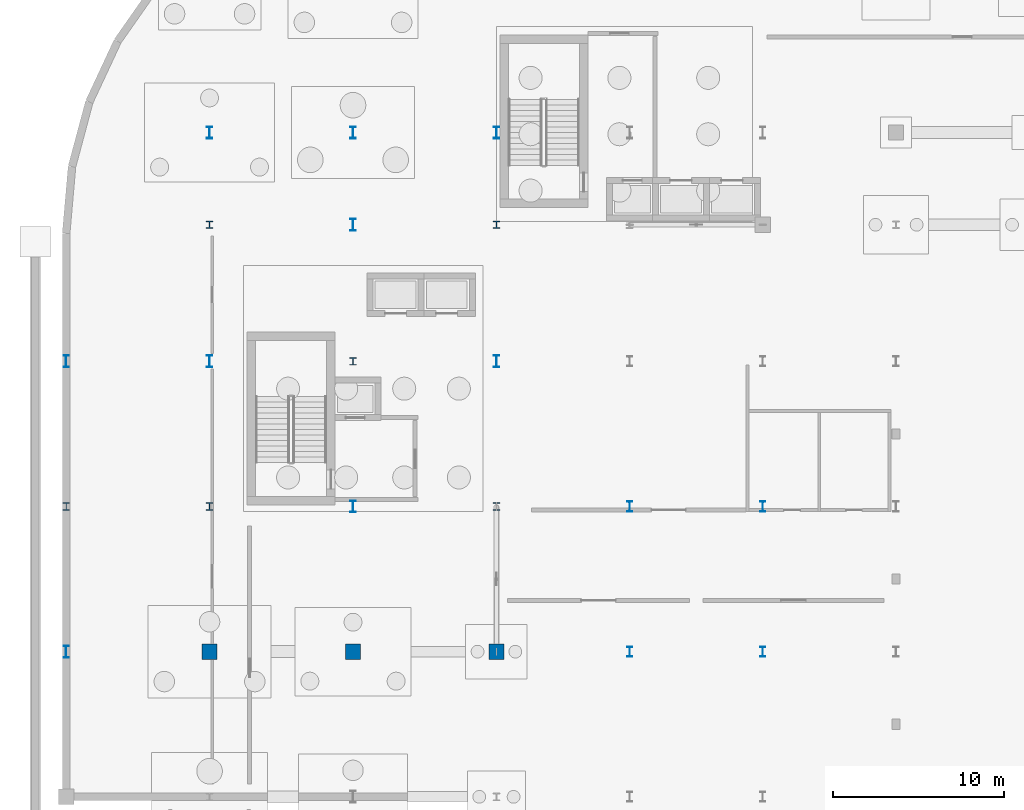
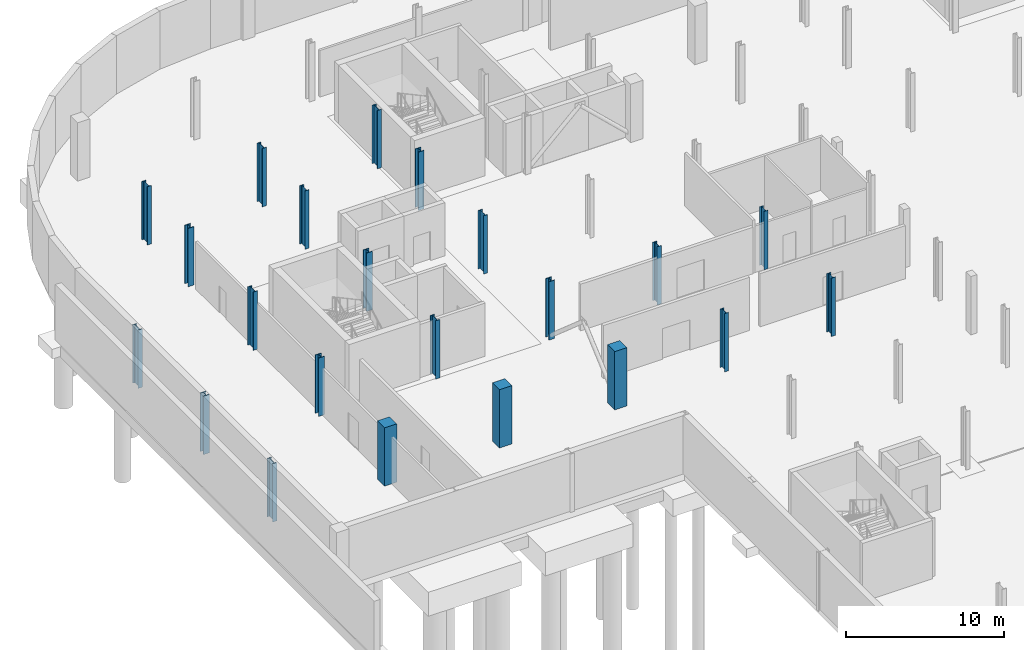
# One storey, part 11 of 45: 22 columns.
"""IFC4 building model written with IfcOpenShell, lengths in metres."""

import ifcopenshell
import ifcopenshell.guid

model = None  # the IFC model being written
_history = None  # IfcOwnerHistory: only IFC2X3 demands one
_inside = {}  # id of a spatial element -> (the spatial element, [elements in it])
_under = {}  # id of a project, library or spatial element -> (it, [spatial elements below it])
_declared = {}  # id of a project -> (the project, [libraries it declares])
_typed = {}  # id of a type object -> (the type object, [elements of that type])
_made_of = {}  # id of a material, layer set ... -> (it, [elements and type objects made of it])


def new_model(schema):
    """Start an empty IFC model of exactly this schema.

    Asked for "IFC4X3", IfcOpenShell would pick the latest addendum, in which some entities
    have other attributes; the version numbers below select the first issue.
    IFC2X3 requires an IfcOwnerHistory on every rooted entity: one is made here for all.
    """
    global model, _history
    if schema == "IFC4X3":
        model = ifcopenshell.file(schema_version=(4, 3, 0, 0))
    else:
        model = ifcopenshell.file(schema=schema)
    _inside.clear()
    _under.clear()
    _declared.clear()
    _typed.clear()
    _made_of.clear()
    _history = None
    if model.schema == "IFC2X3":
        org = make("IfcOrganization", Name="unknown")
        user = make(
            "IfcPersonAndOrganization",
            ThePerson=make("IfcPerson", FamilyName="unknown"),
            TheOrganization=org,
        )
        app = make(
            "IfcApplication",
            ApplicationDeveloper=org,
            Version="unknown",
            ApplicationFullName="unknown",
            ApplicationIdentifier="unknown",
        )
        _history = make(
            "IfcOwnerHistory",
            OwningUser=user,
            OwningApplication=app,
            ChangeAction="ADDED",
            CreationDate=0,
        )
    return model


def make(cls, **values):
    """One entity of the class cls with the attributes given. An attribute that is None is left unset."""
    return model.create_entity(
        cls, **{name: value for name, value in values.items() if value is not None}
    )


def rooted(cls, **values):
    """An entity with a GlobalId (a new one), such as an element, a storey or a relation."""
    return make(cls, GlobalId=ifcopenshell.guid.new(), OwnerHistory=_history, **values)


def si_unit(unit_type, name, prefix=None):
    """IfcSIUnit, for example si_unit("LENGTHUNIT", "METRE", prefix="MILLI")."""
    return make("IfcSIUnit", UnitType=unit_type, Prefix=prefix, Name=name)


def assignment(units):
    """IfcUnitAssignment: the units of a project."""
    return None if units is None else make("IfcUnitAssignment", Units=units)


def point(xyz):
    """IfcCartesianPoint."""
    return None if xyz is None else make("IfcCartesianPoint", Coordinates=xyz)


def direction(xyz):
    """IfcDirection."""
    return None if xyz is None else make("IfcDirection", DirectionRatios=xyz)


def frame(location, z_axis=None, x_axis=None):
    """IfcAxis2Placement3D, a coordinate frame: its origin and axes. An axis left out is left unset."""
    return make(
        "IfcAxis2Placement3D",
        Location=point(location),
        Axis=direction(z_axis),
        RefDirection=direction(x_axis),
    )


def frame_2d(location, x_axis=None):
    """IfcAxis2Placement2D, a coordinate frame in the plane: its origin and x axis."""
    return make(
        "IfcAxis2Placement2D", Location=point(location), RefDirection=direction(x_axis)
    )


def origin():
    """The frame at (0, 0, 0) with its axes left unset."""
    return frame((0.0, 0.0, 0.0))


def origin_2d():
    """The frame at (0, 0) in the plane with its x axis left unset."""
    return frame_2d((0.0, 0.0))


def place(relative_to, where):
    """IfcLocalPlacement: puts the frame where relative to a parent placement (None: the world)."""
    return make(
        "IfcLocalPlacement", PlacementRelTo=relative_to, RelativePlacement=where
    )


def context(
    kind, dimensions, precision=None, world=None, true_north=None, identifier=None
):
    """IfcGeometricRepresentationContext, for example the 3D "Model" context."""
    return make(
        "IfcGeometricRepresentationContext",
        ContextIdentifier=identifier,
        ContextType=kind,
        CoordinateSpaceDimension=dimensions,
        Precision=precision,
        WorldCoordinateSystem=world,
        TrueNorth=true_north,
    )


def subcontext(parent, identifier, kind, view, scale=None):
    """IfcGeometricRepresentationSubContext, for example "Body" below "Model"."""
    return make(
        "IfcGeometricRepresentationSubContext",
        ContextIdentifier=identifier,
        ContextType=kind,
        ParentContext=parent,
        TargetScale=scale,
        TargetView=view,
    )


def project(units=None, contexts=None):
    """IfcProject with its units and contexts."""
    return rooted(
        "IfcProject",
        Name="project",
        RepresentationContexts=contexts,
        UnitsInContext=assignment(units),
    )


def spatial(cls, under=None, at=None, **own):
    """A site, building, storey or space (cls), placed at a placement, below another one or the project."""
    s = rooted(cls, ObjectPlacement=at, **own)
    if under is not None:
        _under.setdefault(under.id(), (under, []))[1].append(s)
    return s


def profile(cls, at=None, kind="AREA", **sizes):
    """A parametric profile (cls). Its sizes go by their IFC names, for example OverallWidth=200.0."""
    return make(cls, ProfileType=kind, Position=at, **sizes)


def rectangle(**sizes):
    """IfcRectangleProfileDef."""
    return profile("IfcRectangleProfileDef", **sizes)


def i_section(**sizes):
    """IfcIShapeProfileDef."""
    return profile("IfcIShapeProfileDef", **sizes)


def extrude(swept, where, along, depth):
    """IfcExtrudedAreaSolid: the profile swept, set in the frame where, extruded along a direction by depth."""
    return make(
        "IfcExtrudedAreaSolid",
        SweptArea=swept,
        Position=where,
        ExtrudedDirection=direction(along),
        Depth=depth,
    )


def shape(context_of_items, identifier, shape_type, items):
    """IfcShapeRepresentation: the items that make up one representation, for example the "Body"."""
    return make(
        "IfcShapeRepresentation",
        ContextOfItems=context_of_items,
        RepresentationIdentifier=identifier,
        RepresentationType=shape_type,
        Items=items,
    )


def material(Name=None, Category=None):
    """IfcMaterial."""
    return make("IfcMaterial", Name=Name, Category=Category)


def material_profile(
    of_material, cross_section, Name=None, Category=None, Priority=None
):
    """IfcMaterialProfile: a cross section and its material."""
    return make(
        "IfcMaterialProfile",
        Name=Name,
        Material=of_material,
        Profile=cross_section,
        Priority=Priority,
        Category=Category,
    )


def profile_set(profiles, Name=None, composite=None):
    """IfcMaterialProfileSet."""
    return make(
        "IfcMaterialProfileSet",
        Name=Name,
        MaterialProfiles=profiles,
        CompositeProfile=composite,
    )


def made_of(thing, what):
    """Note that an element or type object is made of a material, layer set ...; save() writes the relation."""
    if what is not None:
        _made_of.setdefault(what.id(), (what, []))[1].append(thing)
    return thing


def type_object(cls, material=None, **own):
    """A type object (cls), such as IfcWallType, which elements share."""
    return made_of(rooted(cls, **own), material)


def element(
    cls,
    number,
    at=None,
    inside=None,
    cuts=None,
    type_object=None,
    material=None,
    context=None,
    identifier="Body",
    shape_type=None,
    held_by="IfcProductDefinitionShape",
    body=None,
    shapes=None,
    **own,
):
    """One element of the class cls, such as IfcWall. Its Tag is "e" and its number.

    at: its placement. inside: the storey or other place that contains it. cuts: it is an
    opening in that element (IfcRelVoidsElement). A single representation is given by context,
    identifier, shape_type and body (its items); several are given by shapes. held_by: the class
    of the entity that holds the representations. save() writes the other relations.
    """
    e = rooted(cls, Tag="e%d" % number, ObjectPlacement=at, **own)
    if body is not None:
        shapes = [shape(context, identifier, shape_type, body)]
    if shapes is not None:
        e.Representation = make(held_by, Representations=shapes)
    if inside is not None:
        _inside.setdefault(inside.id(), (inside, []))[1].append(e)
    if cuts is not None:
        rooted(
            "IfcRelVoidsElement", RelatingBuildingElement=cuts, RelatedOpeningElement=e
        )
    if type_object is not None:
        _typed.setdefault(type_object.id(), (type_object, []))[1].append(e)
    return made_of(e, material)


def aggregate(whole, parts):
    """IfcRelAggregates: a whole, such as a stair, and the parts it consists of."""
    return rooted("IfcRelAggregates", RelatingObject=whole, RelatedObjects=parts)


def save(model, path):
    """Write the relations noted so far, then the file.

    IfcRelAggregates (storeys below a building ...), IfcRelContainedInSpatialStructure (elements
    in a storey), IfcRelDefinesByType, IfcRelAssociatesMaterial and IfcRelDeclares: one each for
    every whole, place, type object, material and project.
    """
    for whole, parts in _under.values():
        aggregate(whole, parts)
    for where, things in _inside.values():
        rooted(
            "IfcRelContainedInSpatialStructure",
            RelatedElements=things,
            RelatingStructure=where,
        )
    for kind, things in _typed.values():
        rooted("IfcRelDefinesByType", RelatedObjects=things, RelatingType=kind)
    for what, things in _made_of.values():
        rooted("IfcRelAssociatesMaterial", RelatedObjects=things, RelatingMaterial=what)
    for by, libraries in _declared.values():
        rooted("IfcRelDeclares", RelatingContext=by, RelatedDefinitions=libraries)
    model.write(path)


model = new_model("IFC4")

# Units and contexts
model_context = context("Model", 3, precision=1e-05, world=origin(), true_north=direction((0.0, 1.0)))
body_context = subcontext(model_context, "Body", "Model", "MODEL_VIEW")
ifc_project = project(units=[si_unit("LENGTHUNIT", "METRE"), si_unit("AREAUNIT", "SQUARE_METRE"), si_unit("VOLUMEUNIT", "CUBIC_METRE"), si_unit("PLANEANGLEUNIT", "RADIAN"), si_unit("MASSUNIT", "GRAM", prefix="KILO")], contexts=[model_context])

# Site, building, storey
site_placement = place(None, origin())
site = spatial("IfcSite", under=ifc_project, at=site_placement, CompositionType="ELEMENT")
building_placement = place(site_placement, origin())
building = spatial("IfcBuilding", under=site, at=building_placement, Name="Sefraquen Railside Congress Hotel", CompositionType="ELEMENT")
storey_placement = place(building_placement, frame((0.0, 0.0, -4.5)))
storey = spatial("IfcBuildingStorey", under=building, at=storey_placement, Name="B01", CompositionType="ELEMENT", Elevation=-4.5)

# Columns
ifc_material_1 = material(Name="Steel S355J2", Category="steel")
ifc_material_profile_1 = material_profile(ifc_material_1, i_section(OverallWidth=0.416015625, OverallDepth=0.446044921875, WebThickness=0.035888671875, FlangeThickness=0.048095703125, FilletRadius=0.014892578125, at=origin_2d()), Name="HD 400x509")
ifc_profile_set_1 = profile_set([ifc_material_profile_1], Name="Steel S355J2")
column_type_1 = type_object("IfcColumnType", Name="TC-HD-509", PredefinedType="COLUMN", material=ifc_profile_set_1)
for number, where, z_axis, x_axis, name in (
    (1, (0.0, 79.5, 0.0), (0.0, 0.0, 1.0), (1.0, 0.0, 0.0), "Structural column 1-K B01"),
    (2, (8.39990234375, 79.5, 0.0), (0.0, 0.0, 1.0), (1.0, 0.0, 0.0), "Structural column 2-K B01"),
    (3, (8.39990234375, 96.0, 0.0), (0.0, 0.0, 1.0), (1.0, 0.0, 0.0), "Structural column 2-M B01"),
    (4, (16.800048828125, 88.0, 0.0), (0.0, 0.0, 1.0), (1.0, 0.0, 0.0), "Structural column 3-L B01"),
    (5, (25.199951171875, 79.5, 0.0), (0.0, 0.0, 1.0), (1.0, 0.0, 0.0), "Structural column 4-K B01"),
    (6, (25.199951171875, 96.0, 0.0), (0.0, 0.0, 1.0), (1.0, 0.0, 0.0), "Structural column 4-M B01"),
):
    element("IfcColumn", number, at=place(storey_placement, frame(where, z_axis=z_axis, x_axis=x_axis)), inside=storey, type_object=column_type_1, Name=name, PredefinedType="COLUMN", context=body_context, shape_type="SweptSolid", body=[
        extrude(i_section(OverallWidth=0.416015625, OverallDepth=0.446044921875, WebThickness=0.035888671875, FlangeThickness=0.048095703125, FilletRadius=0.014892578125, at=origin_2d()), origin(), (0.0, 0.0, 1.0), 4.5),
    ])
ifc_material_2 = material(Name="Steel S355JR", Category="steel")
ifc_material_profile_2 = material_profile(ifc_material_2, i_section(OverallWidth=0.300048828125, OverallDepth=0.60009765625, WebThickness=0.015380859375, FlangeThickness=0.030029296875, FilletRadius=0.027099609375, at=origin_2d()), Name="HEB 600")
ifc_profile_set_2 = profile_set([ifc_material_profile_2], Name="Steel S355JR")
column_type_2 = type_object("IfcColumnType", Name="TC-HEB-600", PredefinedType="COLUMN", material=ifc_profile_set_2)
for number, where, z_axis, x_axis, name in (
    (7, (33.0, 71.0, 0.0), (0.0, 0.0, 1.0), (1.0, 0.0, 0.0), "Structural column 5-J B01"),
    (8, (33.0, 79.5, 0.0), (0.0, 0.0, 1.0), (1.0, 0.0, 0.0), "Structural column 5-K B01"),
    (9, (40.800048828125, 71.0, 0.0), (0.0, 0.0, 1.0), (1.0, 0.0, 0.0), "Structural column 6-J B01"),
    (10, (40.800048828125, 79.5, 0.0), (0.0, 0.0, 1.0), (1.0, 0.0, 0.0), "Structural column 6-K B01"),
):
    element("IfcColumn", number, at=place(storey_placement, frame(where, z_axis=z_axis, x_axis=x_axis)), inside=storey, type_object=column_type_2, Name=name, PredefinedType="COLUMN", context=body_context, shape_type="SweptSolid", body=[
        extrude(i_section(OverallWidth=0.300048828125, OverallDepth=0.60009765625, WebThickness=0.015380859375, FlangeThickness=0.030029296875, FilletRadius=0.027099609375, at=origin_2d()), origin(), (0.0, 0.0, 1.0), 4.5),
    ])
ifc_material_profile_3 = material_profile(ifc_material_2, i_section(OverallWidth=0.300048828125, OverallDepth=0.699951171875, WebThickness=0.01708984375, FlangeThickness=0.031982421875, FilletRadius=0.027099609375, at=origin_2d()), Name="HEB 700")
ifc_profile_set_3 = profile_set([ifc_material_profile_3], Name="Steel S355JR")
column_type_3 = type_object("IfcColumnType", Name="TC-HEB-700", PredefinedType="COLUMN", material=ifc_profile_set_3)
for number, where, z_axis, x_axis, name in (
    (11, (0.0, 71.0, 0.0), (0.0, 0.0, 1.0), (1.0, 0.0, 0.0), "Structural column 1-J B01"),
    (12, (0.0, 88.0, 0.0), (0.0, 0.0, 1.0), (1.0, 0.0, 0.0), "Structural column 1-L B01"),
    (13, (8.39990234375, 88.0, 0.0), (0.0, 0.0, 1.0), (1.0, 0.0, 0.0), "Structural column 2-L B01"),
    (14, (16.800048828125, 79.5, 0.0), (0.0, 0.0, 1.0), (1.0, 0.0, 0.0), "Structural column 3-K B01"),
    (15, (16.800048828125, 96.0, 0.0), (0.0, 0.0, 1.0), (1.0, 0.0, 0.0), "Structural column 3-M B01"),
    (16, (25.199951171875, 88.0, 0.0), (0.0, 0.0, 1.0), (1.0, 0.0, 0.0), "Structural column 4-L B01"),
    (17, (8.39990234375, 101.39990234375, 0.0), (0.0, 0.0, 1.0), (1.0, 0.0, 0.0), "Structural column 2-N B01"),
    (18, (16.800048828125, 101.39990234375, 0.0), (0.0, 0.0, 1.0), (1.0, 0.0, 0.0), "Structural column 3-N B01"),
    (19, (25.199951171875, 101.39990234375, 0.0), (0.0, 0.0, 1.0), (1.0, 0.0, 0.0), "Structural column 4-N B01"),
):
    element("IfcColumn", number, at=place(storey_placement, frame(where, z_axis=z_axis, x_axis=x_axis)), inside=storey, type_object=column_type_3, Name=name, PredefinedType="COLUMN", context=body_context, shape_type="SweptSolid", body=[
        extrude(i_section(OverallWidth=0.300048828125, OverallDepth=0.699951171875, WebThickness=0.01708984375, FlangeThickness=0.031982421875, FilletRadius=0.027099609375, at=origin_2d()), origin(), (0.0, 0.0, 1.0), 4.5),
    ])
ifc_material_3 = material(Name="Concrete C50/60", Category="concrete")
ifc_material_profile_4 = material_profile(ifc_material_3, rectangle(XDim=0.89990234375, YDim=0.89990234375, at=origin_2d()), Name="RC 900x900")
ifc_profile_set_4 = profile_set([ifc_material_profile_4], Name="Concrete C50/60")
column_type_4 = type_object("IfcColumnType", Name="TC-RC-900", PredefinedType="COLUMN", material=ifc_profile_set_4)
for number, where, z_axis, x_axis, name in (
    (20, (8.39990234375, 71.0, 0.0), (0.0, 0.0, 1.0), (1.0, 0.0, 0.0), "Structural column 2-J B01"),
    (21, (16.800048828125, 71.0, 0.0), (0.0, 0.0, 1.0), (1.0, 0.0, 0.0), "Structural column 3-J B01"),
    (22, (25.199951171875, 71.0, 0.0), (0.0, 0.0, 1.0), (1.0, 0.0, 0.0), "Structural column 4-J B01"),
):
    element("IfcColumn", number, at=place(storey_placement, frame(where, z_axis=z_axis, x_axis=x_axis)), inside=storey, type_object=column_type_4, Name=name, PredefinedType="COLUMN", context=body_context, shape_type="SweptSolid", body=[
        extrude(rectangle(XDim=0.89990234375, YDim=0.89990234375, at=origin_2d()), origin(), (0.0, 0.0, 1.0), 4.5),
    ])

save(model, "model.ifc")
